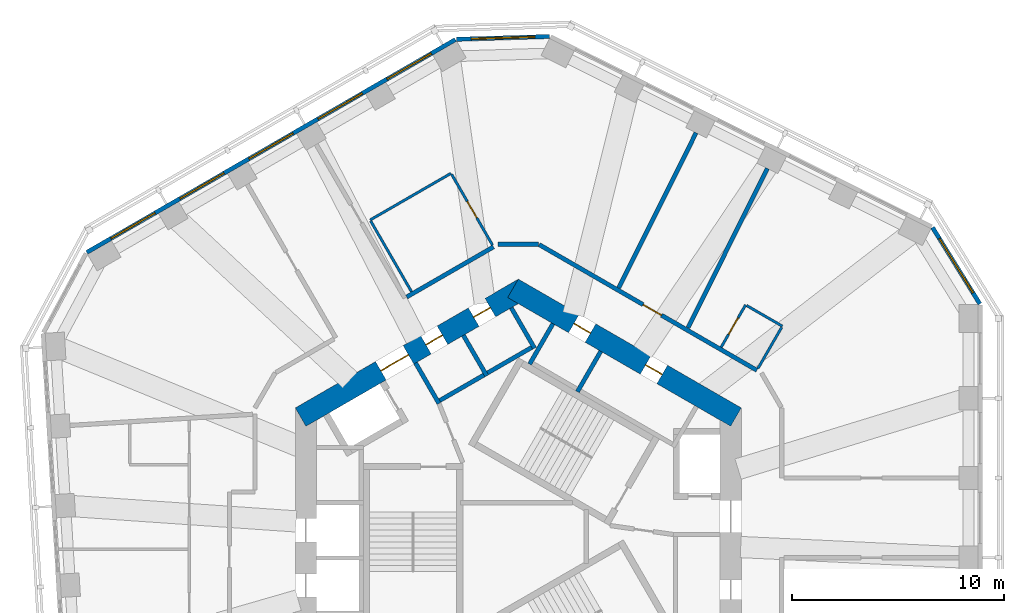
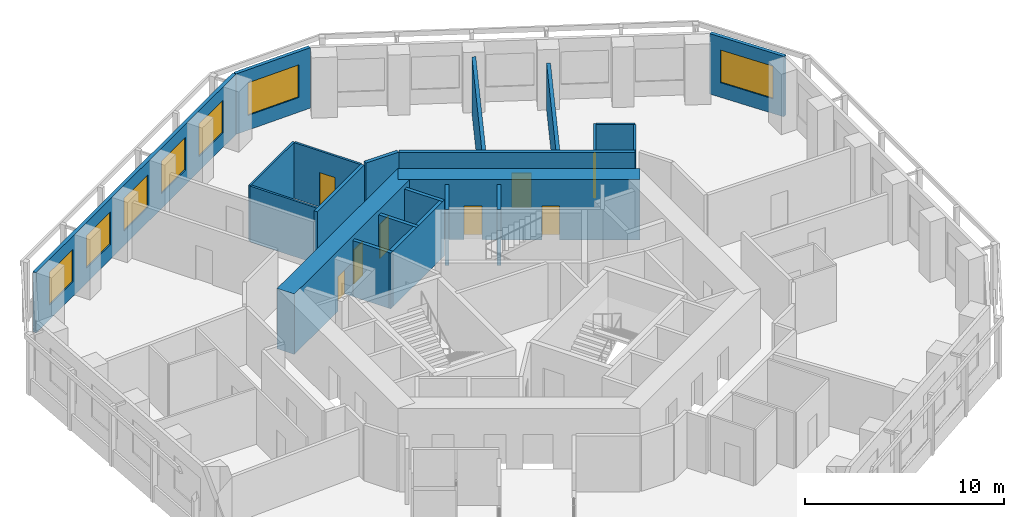
# One storey, part 7 of 11: 22 walls, 8 doors, 7 windows, 15 openings.
"""IFC4 building model written with IfcOpenShell, lengths in metres."""

import ifcopenshell
import ifcopenshell.guid

model = None  # the IFC model being written
_history = None  # IfcOwnerHistory: only IFC2X3 demands one
_inside = {}  # id of a spatial element -> (the spatial element, [elements in it])
_under = {}  # id of a project, library or spatial element -> (it, [spatial elements below it])
_declared = {}  # id of a project -> (the project, [libraries it declares])
_typed = {}  # id of a type object -> (the type object, [elements of that type])
_made_of = {}  # id of a material, layer set ... -> (it, [elements and type objects made of it])


def new_model(schema):
    """Start an empty IFC model of exactly this schema.

    Asked for "IFC4X3", IfcOpenShell would pick the latest addendum, in which some entities
    have other attributes; the version numbers below select the first issue.
    IFC2X3 requires an IfcOwnerHistory on every rooted entity: one is made here for all.
    """
    global model, _history
    if schema == "IFC4X3":
        model = ifcopenshell.file(schema_version=(4, 3, 0, 0))
    else:
        model = ifcopenshell.file(schema=schema)
    _inside.clear()
    _under.clear()
    _declared.clear()
    _typed.clear()
    _made_of.clear()
    _history = None
    if model.schema == "IFC2X3":
        org = make("IfcOrganization", Name="unknown")
        user = make(
            "IfcPersonAndOrganization",
            ThePerson=make("IfcPerson", FamilyName="unknown"),
            TheOrganization=org,
        )
        app = make(
            "IfcApplication",
            ApplicationDeveloper=org,
            Version="unknown",
            ApplicationFullName="unknown",
            ApplicationIdentifier="unknown",
        )
        _history = make(
            "IfcOwnerHistory",
            OwningUser=user,
            OwningApplication=app,
            ChangeAction="ADDED",
            CreationDate=0,
        )
    return model


def make(cls, **values):
    """One entity of the class cls with the attributes given. An attribute that is None is left unset."""
    return model.create_entity(
        cls, **{name: value for name, value in values.items() if value is not None}
    )


def rooted(cls, **values):
    """An entity with a GlobalId (a new one), such as an element, a storey or a relation."""
    return make(cls, GlobalId=ifcopenshell.guid.new(), OwnerHistory=_history, **values)


def si_unit(unit_type, name, prefix=None):
    """IfcSIUnit, for example si_unit("LENGTHUNIT", "METRE", prefix="MILLI")."""
    return make("IfcSIUnit", UnitType=unit_type, Prefix=prefix, Name=name)


def assignment(units):
    """IfcUnitAssignment: the units of a project."""
    return None if units is None else make("IfcUnitAssignment", Units=units)


def point(xyz):
    """IfcCartesianPoint."""
    return None if xyz is None else make("IfcCartesianPoint", Coordinates=xyz)


def direction(xyz):
    """IfcDirection."""
    return None if xyz is None else make("IfcDirection", DirectionRatios=xyz)


def frame(location, z_axis=None, x_axis=None):
    """IfcAxis2Placement3D, a coordinate frame: its origin and axes. An axis left out is left unset."""
    return make(
        "IfcAxis2Placement3D",
        Location=point(location),
        Axis=direction(z_axis),
        RefDirection=direction(x_axis),
    )


def frame_2d(location, x_axis=None):
    """IfcAxis2Placement2D, a coordinate frame in the plane: its origin and x axis."""
    return make(
        "IfcAxis2Placement2D", Location=point(location), RefDirection=direction(x_axis)
    )


def origin():
    """The frame at (0, 0, 0) with its axes left unset."""
    return frame((0.0, 0.0, 0.0))


def place(relative_to, where):
    """IfcLocalPlacement: puts the frame where relative to a parent placement (None: the world)."""
    return make(
        "IfcLocalPlacement", PlacementRelTo=relative_to, RelativePlacement=where
    )


def context(
    kind, dimensions, precision=None, world=None, true_north=None, identifier=None
):
    """IfcGeometricRepresentationContext, for example the 3D "Model" context."""
    return make(
        "IfcGeometricRepresentationContext",
        ContextIdentifier=identifier,
        ContextType=kind,
        CoordinateSpaceDimension=dimensions,
        Precision=precision,
        WorldCoordinateSystem=world,
        TrueNorth=true_north,
    )


def subcontext(parent, identifier, kind, view, scale=None):
    """IfcGeometricRepresentationSubContext, for example "Body" below "Model"."""
    return make(
        "IfcGeometricRepresentationSubContext",
        ContextIdentifier=identifier,
        ContextType=kind,
        ParentContext=parent,
        TargetScale=scale,
        TargetView=view,
    )


def project(units=None, contexts=None):
    """IfcProject with its units and contexts."""
    return rooted(
        "IfcProject",
        Name="project",
        RepresentationContexts=contexts,
        UnitsInContext=assignment(units),
    )


def spatial(cls, under=None, at=None, **own):
    """A site, building, storey or space (cls), placed at a placement, below another one or the project."""
    s = rooted(cls, ObjectPlacement=at, **own)
    if under is not None:
        _under.setdefault(under.id(), (under, []))[1].append(s)
    return s


def profile(cls, at=None, kind="AREA", **sizes):
    """A parametric profile (cls). Its sizes go by their IFC names, for example OverallWidth=200.0."""
    return make(cls, ProfileType=kind, Position=at, **sizes)


def rectangle(**sizes):
    """IfcRectangleProfileDef."""
    return profile("IfcRectangleProfileDef", **sizes)


def extrude(swept, where, along, depth):
    """IfcExtrudedAreaSolid: the profile swept, set in the frame where, extruded along a direction by depth."""
    return make(
        "IfcExtrudedAreaSolid",
        SweptArea=swept,
        Position=where,
        ExtrudedDirection=direction(along),
        Depth=depth,
    )


def shape(context_of_items, identifier, shape_type, items):
    """IfcShapeRepresentation: the items that make up one representation, for example the "Body"."""
    return make(
        "IfcShapeRepresentation",
        ContextOfItems=context_of_items,
        RepresentationIdentifier=identifier,
        RepresentationType=shape_type,
        Items=items,
    )


def material(Name=None, Category=None):
    """IfcMaterial."""
    return make("IfcMaterial", Name=Name, Category=Category)


def layer(
    of_material, thickness, ventilated=None, Name=None, Category=None, Priority=None
):
    """IfcMaterialLayer: one layer of a wall or slab, of a material (None: an air gap)."""
    return make(
        "IfcMaterialLayer",
        Material=of_material,
        LayerThickness=thickness,
        IsVentilated=ventilated,
        Name=Name,
        Category=Category,
        Priority=Priority,
    )


def layer_set(layers, Name=None):
    """IfcMaterialLayerSet."""
    return make("IfcMaterialLayerSet", MaterialLayers=layers, LayerSetName=Name)


def made_of(thing, what):
    """Note that an element or type object is made of a material, layer set ...; save() writes the relation."""
    if what is not None:
        _made_of.setdefault(what.id(), (what, []))[1].append(thing)
    return thing


def type_object(cls, material=None, **own):
    """A type object (cls), such as IfcWallType, which elements share."""
    return made_of(rooted(cls, **own), material)


def element(
    cls,
    number,
    at=None,
    inside=None,
    cuts=None,
    type_object=None,
    material=None,
    context=None,
    identifier="Body",
    shape_type=None,
    held_by="IfcProductDefinitionShape",
    body=None,
    shapes=None,
    **own,
):
    """One element of the class cls, such as IfcWall. Its Tag is "e" and its number.

    at: its placement. inside: the storey or other place that contains it. cuts: it is an
    opening in that element (IfcRelVoidsElement). A single representation is given by context,
    identifier, shape_type and body (its items); several are given by shapes. held_by: the class
    of the entity that holds the representations. save() writes the other relations.
    """
    e = rooted(cls, Tag="e%d" % number, ObjectPlacement=at, **own)
    if body is not None:
        shapes = [shape(context, identifier, shape_type, body)]
    if shapes is not None:
        e.Representation = make(held_by, Representations=shapes)
    if inside is not None:
        _inside.setdefault(inside.id(), (inside, []))[1].append(e)
    if cuts is not None:
        rooted(
            "IfcRelVoidsElement", RelatingBuildingElement=cuts, RelatedOpeningElement=e
        )
    if type_object is not None:
        _typed.setdefault(type_object.id(), (type_object, []))[1].append(e)
    return made_of(e, material)


def fill(opening, filler):
    """IfcRelFillsElement: the door or window that sits in an opening."""
    return rooted(
        "IfcRelFillsElement",
        RelatingOpeningElement=opening,
        RelatedBuildingElement=filler,
    )


def aggregate(whole, parts):
    """IfcRelAggregates: a whole, such as a stair, and the parts it consists of."""
    return rooted("IfcRelAggregates", RelatingObject=whole, RelatedObjects=parts)


def save(model, path):
    """Write the relations noted so far, then the file.

    IfcRelAggregates (storeys below a building ...), IfcRelContainedInSpatialStructure (elements
    in a storey), IfcRelDefinesByType, IfcRelAssociatesMaterial and IfcRelDeclares: one each for
    every whole, place, type object, material and project.
    """
    for whole, parts in _under.values():
        aggregate(whole, parts)
    for where, things in _inside.values():
        rooted(
            "IfcRelContainedInSpatialStructure",
            RelatedElements=things,
            RelatingStructure=where,
        )
    for kind, things in _typed.values():
        rooted("IfcRelDefinesByType", RelatedObjects=things, RelatingType=kind)
    for what, things in _made_of.values():
        rooted("IfcRelAssociatesMaterial", RelatedObjects=things, RelatingMaterial=what)
    for by, libraries in _declared.values():
        rooted("IfcRelDeclares", RelatingContext=by, RelatedDefinitions=libraries)
    model.write(path)


model = new_model("IFC4")

# Units and contexts
model_context = context("Model", 3, precision=1e-05, world=origin(), true_north=direction((0.0, 1.0)))
body_context = subcontext(model_context, "Body", "Model", "MODEL_VIEW")
ifc_project = project(units=[si_unit("LENGTHUNIT", "METRE"), si_unit("AREAUNIT", "SQUARE_METRE"), si_unit("VOLUMEUNIT", "CUBIC_METRE"), si_unit("PLANEANGLEUNIT", "RADIAN"), si_unit("MASSUNIT", "GRAM", prefix="KILO")], contexts=[model_context])

# Site, building, storey
site_placement = place(None, origin())
site = spatial("IfcSite", under=ifc_project, at=site_placement, CompositionType="ELEMENT")
building_placement = place(site_placement, origin())
building = spatial("IfcBuilding", under=site, at=building_placement, Name="Vanh Sen Convention Tower", CompositionType="ELEMENT")
storey_placement = place(building_placement, frame((0.0, 0.0, 146.60009765625)))
storey = spatial("IfcBuildingStorey", under=building, at=storey_placement, Name="L35", CompositionType="ELEMENT", Elevation=146.60009765625)

# Walls
ifc_material_1 = material(Name="Moisture-resistant gypsum board on steel studs", Category="steel")
ifc_layer_1 = layer(ifc_material_1, 0.1201171875)
ifc_layer_set_1 = layer_set([ifc_layer_1], Name="Moisture-resistant gypsum board on steel studs")
wall_type_1 = type_object("IfcWallType", Name="Bathroom partition 120", PredefinedType="PARTITIONING", material=ifc_layer_set_1)
wall_1_placement = place(storey_placement, frame((-6.97705078125, 14.908935546875, 0.0), z_axis=(0.0, 0.0, 1.0), x_axis=(0.866032203192, 0.499988222896, 0.0)))
element("IfcWall", 1, at=wall_1_placement, inside=storey, type_object=wall_type_1, Name="Bathroom partition 120", PredefinedType="PARTITIONING", context=body_context, shape_type="SweptSolid", body=[
    extrude(rectangle(XDim=4.39990234375, YDim=0.1201171875, at=frame_2d((2.199951171875, 0.0))), origin(), (0.0, 0.0, 1.0), 3.419921875),
])
wall_2_placement = place(storey_placement, frame((-5.027099609375, 11.531494140625, 0.0), z_axis=(0.0, 0.0, 1.0), x_axis=(-0.499995802899, 0.866027826969, 0.0)))
element("IfcWall", 2, at=wall_2_placement, inside=storey, type_object=wall_type_1, Name="Bathroom partition 120", PredefinedType="PARTITIONING", context=body_context, shape_type="SweptSolid", body=[
    extrude(rectangle(XDim=3.83984375, YDim=0.1201171875, at=frame_2d((1.919921875, 0.0))), origin(), (0.0, 0.0, 1.0), 3.419921875),
])

# Wall, opening, door
wall_3_placement = place(storey_placement, frame((-3.136474609375, 17.056884765625, 0.0), z_axis=(0.0, 0.0, 1.0), x_axis=(0.499995802899, -0.866027826969, 0.0)))
wall_3 = element("IfcWall", 3, at=wall_3_placement, inside=storey, type_object=wall_type_1, Name="Bathroom partition 120", PredefinedType="PARTITIONING", context=body_context, shape_type="SweptSolid", body=[
    extrude(rectangle(XDim=3.83984375, YDim=0.1201171875, at=frame_2d((1.919921875, 0.0))), origin(), (0.0, 0.0, 1.0), 3.419921875),
])
opening_1_placement = place(wall_3_placement, frame((1.469970703125, 0.0, 0.0)))
opening_1 = element("IfcOpeningElement", 4, at=opening_1_placement, cuts=wall_3, Name="Opening D35105", PredefinedType="OPENING", context=body_context, shape_type="SweptSolid", body=[
    extrude(rectangle(XDim=0.89990234375, YDim=2.10009765625, at=frame_2d((0.449951171875, 1.050048828125))), frame((0.0, 0.070068359375, 0.0), z_axis=(0.0, -1.0, 0.0), x_axis=(1.0, 0.0, 0.0)), (0.0, 0.0, 1.0), 0.14013671875),
])
ifc_material_2 = material(Name="Laminate door in steel frame", Category="steel")
door_type_1 = type_object("IfcDoorType", Name="Room internal door 900", OperationType="SINGLE_SWING_LEFT", PredefinedType="DOOR", material=ifc_material_2)
door_1_placement = place(opening_1_placement, origin())
door_1 = element("IfcDoor", 5, at=door_1_placement, inside=storey, type_object=door_type_1, Name="Internal room door D35105", OperationType="SINGLE_SWING_LEFT", OverallHeight=2.10009765625, OverallWidth=0.89990234375, PredefinedType="DOOR", context=body_context, shape_type="SweptSolid", body=[
    extrude(rectangle(XDim=0.89990234375, YDim=2.10009765625, at=frame_2d((0.449951171875, 1.050048828125))), frame((0.0, 0.02490234375, 0.0), z_axis=(0.0, -1.0, 0.0), x_axis=(1.0, 0.0, 0.0)), (0.0, 0.0, 1.0), 0.050048828125),
])
fill(opening_1, door_1)

wall_4_placement = place(storey_placement, frame((9.551513671875, 8.919189453125, 0.0), z_axis=(0.0, 0.0, 1.0), x_axis=(0.499952165731, 0.866053019151, 0.0)))
wall_4 = element("IfcWall", 6, at=wall_4_placement, inside=storey, type_object=wall_type_1, Name="Bathroom partition 120", PredefinedType="PARTITIONING", context=body_context, shape_type="SweptSolid", body=[
    extrude(rectangle(XDim=2.300048828125, YDim=0.1201171875, at=frame_2d((1.14990234375, 0.0))), origin(), (0.0, 0.0, 1.0), 3.419921875),
])
opening_2_placement = place(wall_4_placement, frame((0.699951171875, 0.0, 0.0)))
opening_2 = element("IfcOpeningElement", 7, at=opening_2_placement, cuts=wall_4, Name="Opening D35102", PredefinedType="OPENING", context=body_context, shape_type="SweptSolid", body=[
    extrude(rectangle(XDim=0.89990234375, YDim=2.10009765625, at=frame_2d((0.449951171875, 1.050048828125))), frame((0.0, 0.070068359375, 0.0), z_axis=(0.0, -1.0, 0.0), x_axis=(1.0, 0.0, 0.0)), (0.0, 0.0, 1.0), 0.14013671875),
])
door_2_placement = place(opening_2_placement, origin())
door_2 = element("IfcDoor", 8, at=door_2_placement, inside=storey, type_object=door_type_1, Name="Internal room door D35102", OperationType="SINGLE_SWING_LEFT", OverallHeight=2.10009765625, OverallWidth=0.89990234375, PredefinedType="DOOR", context=body_context, shape_type="SweptSolid", body=[
    extrude(rectangle(XDim=0.89990234375, YDim=2.10009765625, at=frame_2d((0.449951171875, 1.050048828125))), frame((0.0, 0.02490234375, 0.0), z_axis=(0.0, -1.0, 0.0), x_axis=(1.0, 0.0, 0.0)), (0.0, 0.0, 1.0), 0.050048828125),
])
fill(opening_2, door_2)

# Walls
wall_5_placement = place(storey_placement, frame((10.75341796875, 10.881103515625, 0.0), z_axis=(0.0, 0.0, 1.0), x_axis=(0.866043088465, -0.499969367985, 0.0)))
element("IfcWall", 9, at=wall_5_placement, inside=storey, type_object=wall_type_1, Name="Bathroom partition 120", PredefinedType="PARTITIONING", context=body_context, shape_type="SweptSolid", body=[
    extrude(rectangle(XDim=1.93994140625, YDim=0.1201171875, at=frame_2d((0.969970703125, 0.0))), origin(), (0.0, 0.0, 1.0), 3.419921875),
])
wall_6_placement = place(storey_placement, frame((12.403564453125, 9.859130859375, 0.0), z_axis=(0.0, 0.0, 1.0), x_axis=(-0.500030632641, -0.866007717299, 0.0)))
element("IfcWall", 10, at=wall_6_placement, inside=storey, type_object=wall_type_1, Name="Bathroom partition 120", PredefinedType="PARTITIONING", context=body_context, shape_type="SweptSolid", body=[
    extrude(rectangle(XDim=2.239990234375, YDim=0.1201171875, at=frame_2d((1.1201171875, 0.0))), origin(), (0.0, 0.0, 1.0), 3.419921875),
])

# Wall, openings, doors
ifc_material_3 = material(Name="Concrete C80/95", Category="concrete")
ifc_layer_2 = layer(ifc_material_3, 1.0)
ifc_layer_set_2 = layer_set([ifc_layer_2], Name="Concrete C80/95")
wall_type_2 = type_object("IfcWallType", Name="Core outer wall 1000 C80/95", PredefinedType="SHEAR", material=ifc_layer_set_2)
wall_7_placement = place(storey_placement, frame((10.25, 5.629150390625, 0.0), z_axis=(0.0, 0.0, 1.0), x_axis=(-0.866022616891, 0.50000482701, 0.0)))
wall_7 = element("IfcWall", 11, at=wall_7_placement, inside=storey, type_object=wall_type_2, Name="Core wall face NE L35", PredefinedType="SHEAR", context=body_context, shape_type="SweptSolid", body=[
    extrude(rectangle(XDim=12.12451171875, YDim=1.0, at=frame_2d((6.062255859375, 0.0))), origin(), (0.0, 0.0, 1.0), 3.699951171875),
])
opening_3_placement = place(wall_7_placement, frame((4.01220703125, 0.0, 0.0)))
opening_3 = element("IfcOpeningElement", 12, at=opening_3_placement, cuts=wall_7, Name="Opening D35011", PredefinedType="OPENING", context=body_context, shape_type="SweptSolid", body=[
    extrude(rectangle(XDim=0.89990234375, YDim=2.10009765625, at=frame_2d((0.449951171875, 1.050048828125))), frame((0.0, 0.510009765625, 0.0), z_axis=(0.0, -1.0, 0.0), x_axis=(1.0, 0.0, 0.0)), (0.0, 0.0, 1.0), 1.02001953125),
])
opening_4_placement = place(wall_7_placement, frame((7.912109375, 0.0, 0.0)))
opening_4 = element("IfcOpeningElement", 13, at=opening_4_placement, cuts=wall_7, Name="Opening D35012", PredefinedType="OPENING", context=body_context, shape_type="SweptSolid", body=[
    extrude(rectangle(XDim=0.89990234375, YDim=2.10009765625, at=frame_2d((0.449951171875, 1.050048828125))), frame((0.0, 0.510009765625, 0.0), z_axis=(0.0, -1.0, 0.0), x_axis=(1.0, 0.0, 0.0)), (0.0, 0.0, 1.0), 1.02001953125),
])
ifc_material_4 = material(Name="Steel S355", Category="steel")
door_type_2 = type_object("IfcDoorType", Name="Plant door 900", OperationType="SINGLE_SWING_LEFT", PredefinedType="DOOR", material=ifc_material_4)
door_3_placement = place(opening_3_placement, origin())
door_3 = element("IfcDoor", 14, at=door_3_placement, inside=storey, type_object=door_type_2, Name="Plant door D35011", OperationType="SINGLE_SWING_LEFT", OverallHeight=2.10009765625, OverallWidth=0.89990234375, PredefinedType="DOOR", context=body_context, shape_type="SweptSolid", body=[
    extrude(rectangle(XDim=0.89990234375, YDim=2.10009765625, at=frame_2d((0.449951171875, 1.050048828125))), frame((0.0, 0.02490234375, 0.0), z_axis=(0.0, -1.0, 0.0), x_axis=(1.0, 0.0, 0.0)), (0.0, 0.0, 1.0), 0.050048828125),
])
fill(opening_3, door_3)
door_4_placement = place(opening_4_placement, origin())
door_4 = element("IfcDoor", 15, at=door_4_placement, inside=storey, type_object=door_type_2, Name="Plant door D35012", OperationType="SINGLE_SWING_LEFT", OverallHeight=2.10009765625, OverallWidth=0.89990234375, PredefinedType="DOOR", context=body_context, shape_type="SweptSolid", body=[
    extrude(rectangle(XDim=0.89990234375, YDim=2.10009765625, at=frame_2d((0.449951171875, 1.050048828125))), frame((0.0, 0.02490234375, 0.0), z_axis=(0.0, -1.0, 0.0), x_axis=(1.0, 0.0, 0.0)), (0.0, 0.0, 1.0), 0.050048828125),
])
fill(opening_4, door_4)

wall_8_placement = place(storey_placement, frame((0.25, 11.69140625, 0.0), z_axis=(0.0, 0.0, 1.0), x_axis=(-0.866022616891, -0.50000482701, 0.0)))
wall_8 = element("IfcWall", 16, at=wall_8_placement, inside=storey, type_object=wall_type_2, Name="Core wall face NW L35", PredefinedType="SHEAR", context=body_context, shape_type="SweptSolid", body=[
    extrude(rectangle(XDim=12.12451171875, YDim=1.0, at=frame_2d((6.062255859375, 0.0))), origin(), (0.0, 0.0, 1.0), 3.699951171875),
])
opening_5_placement = place(wall_8_placement, frame((6.26220703125, 0.0, 0.0)))
opening_5 = element("IfcOpeningElement", 17, at=opening_5_placement, cuts=wall_8, Name="Opening D35002", PredefinedType="OPENING", context=body_context, shape_type="SweptSolid", body=[
    extrude(rectangle(XDim=1.5, YDim=2.10009765625, at=frame_2d((0.75, 1.050048828125))), frame((0.0, 0.510009765625, 0.0), z_axis=(0.0, -1.0, 0.0), x_axis=(1.0, 0.0, 0.0)), (0.0, 0.0, 1.0), 1.02001953125),
])
opening_6_placement = place(wall_8_placement, frame((1.812255859375, 0.0, 0.0)))
opening_6 = element("IfcOpeningElement", 18, at=opening_6_placement, cuts=wall_8, Name="Opening D35013", PredefinedType="OPENING", context=body_context, shape_type="SweptSolid", body=[
    extrude(rectangle(XDim=0.89990234375, YDim=2.10009765625, at=frame_2d((0.449951171875, 1.050048828125))), frame((0.0, 0.510009765625, 0.0), z_axis=(0.0, -1.0, 0.0), x_axis=(1.0, 0.0, 0.0)), (0.0, 0.0, 1.0), 1.02001953125),
])
opening_7_placement = place(wall_8_placement, frame((4.412109375, 0.0, 0.0)))
opening_7 = element("IfcOpeningElement", 19, at=opening_7_placement, cuts=wall_8, Name="Opening D35014", PredefinedType="OPENING", context=body_context, shape_type="SweptSolid", body=[
    extrude(rectangle(XDim=0.89990234375, YDim=2.10009765625, at=frame_2d((0.449951171875, 1.050048828125))), frame((0.0, 0.510009765625, 0.0), z_axis=(0.0, -1.0, 0.0), x_axis=(1.0, 0.0, 0.0)), (0.0, 0.0, 1.0), 1.02001953125),
])
door_5_placement = place(opening_6_placement, origin())
door_5 = element("IfcDoor", 20, at=door_5_placement, inside=storey, type_object=door_type_2, Name="Plant door D35013", OperationType="SINGLE_SWING_LEFT", OverallHeight=2.10009765625, OverallWidth=0.89990234375, PredefinedType="DOOR", context=body_context, shape_type="SweptSolid", body=[
    extrude(rectangle(XDim=0.89990234375, YDim=2.10009765625, at=frame_2d((0.449951171875, 1.050048828125))), frame((0.0, 0.02490234375, 0.0), z_axis=(0.0, -1.0, 0.0), x_axis=(1.0, 0.0, 0.0)), (0.0, 0.0, 1.0), 0.050048828125),
])
fill(opening_6, door_5)
door_6_placement = place(opening_7_placement, origin())
door_6 = element("IfcDoor", 21, at=door_6_placement, inside=storey, type_object=door_type_2, Name="Plant door D35014", OperationType="SINGLE_SWING_LEFT", OverallHeight=2.10009765625, OverallWidth=0.89990234375, PredefinedType="DOOR", context=body_context, shape_type="SweptSolid", body=[
    extrude(rectangle(XDim=0.89990234375, YDim=2.10009765625, at=frame_2d((0.449951171875, 1.050048828125))), frame((0.0, 0.02490234375, 0.0), z_axis=(0.0, -1.0, 0.0), x_axis=(1.0, 0.0, 0.0)), (0.0, 0.0, 1.0), 0.050048828125),
])
fill(opening_7, door_6)
door_type_3 = type_object("IfcDoorType", Name="Stair lobby door 1500", OperationType="DOUBLE_DOOR_SINGLE_SWING", PredefinedType="DOOR", material=ifc_material_4)
door_7_placement = place(opening_5_placement, origin())
door_7 = element("IfcDoor", 22, at=door_7_placement, inside=storey, type_object=door_type_3, Name="Stair lobby door D35002", OperationType="DOUBLE_DOOR_SINGLE_SWING", OverallHeight=2.10009765625, OverallWidth=1.5, PredefinedType="DOOR", context=body_context, shape_type="SweptSolid", body=[
    extrude(rectangle(XDim=1.5, YDim=2.10009765625, at=frame_2d((0.75, 1.050048828125))), frame((0.0, 0.02490234375, 0.0), z_axis=(0.0, -1.0, 0.0), x_axis=(1.0, 0.0, 0.0)), (0.0, 0.0, 1.0), 0.050048828125),
])
fill(opening_5, door_7)

# Walls
ifc_material_5 = material(Name="Gypsum board on steel studs with mineral wool", Category="steel")
ifc_layer_3 = layer(ifc_material_5, 0.199951171875)
ifc_layer_set_3 = layer_set([ifc_layer_3], Name="Gypsum board on steel studs with mineral wool")
wall_type_3 = type_object("IfcWallType", Name="Corridor partition wall 200", PredefinedType="PARTITIONING", material=ifc_layer_set_3)
wall_9_placement = place(storey_placement, frame((-1.16650390625, 13.644775390625, 0.0), z_axis=(0.0, 0.0, 1.0), x_axis=(-0.866034830959, -0.499983671299, 0.0)))
element("IfcWall", 23, at=wall_9_placement, inside=storey, type_object=wall_type_3, Name="Corridor partition wall 200", PredefinedType="PARTITIONING", context=body_context, shape_type="SweptSolid", body=[
    extrude(rectangle(XDim=4.719482421875, YDim=0.199951171875, at=frame_2d((2.35986328125, 0.0))), origin(), (0.0, 0.0, 1.0), 3.419921875),
])
wall_10_placement = place(storey_placement, frame((0.949951171875, 13.769775390625, 0.0), z_axis=(0.0, 0.0, 1.0), x_axis=(-1.0, 0.0, 0.0)))
element("IfcWall", 24, at=wall_10_placement, inside=storey, type_object=wall_type_3, Name="Corridor partition wall 200", PredefinedType="PARTITIONING", context=body_context, shape_type="SweptSolid", body=[
    extrude(rectangle(XDim=1.89990234375, YDim=0.199951171875, at=frame_2d((0.949951171875, 0.0))), origin(), (0.0, 0.0, 1.0), 3.419921875),
])

# Wall, opening, door
wall_11_placement = place(storey_placement, frame((11.2333984375, 7.83251953125, 0.0), z_axis=(0.0, 0.0, 1.0), x_axis=(-0.866021713988, 0.50000639086, 0.0)))
wall_11 = element("IfcWall", 25, at=wall_11_placement, inside=storey, type_object=wall_type_3, Name="Corridor partition wall 200", PredefinedType="PARTITIONING", context=body_context, shape_type="SweptSolid", body=[
    extrude(rectangle(XDim=11.834228515625, YDim=0.199951171875, at=frame_2d((5.9169921875, 0.0))), origin(), (0.0, 0.0, 1.0), 3.419921875),
])
opening_8_placement = place(wall_11_placement, frame((5.184814453125, 0.0, 0.0)))
opening_8 = element("IfcOpeningElement", 26, at=opening_8_placement, cuts=wall_11, Name="Opening D35103", PredefinedType="OPENING", context=body_context, shape_type="SweptSolid", body=[
    extrude(rectangle(XDim=1.0, YDim=2.10009765625, at=frame_2d((0.5, 1.050048828125))), frame((0.0, 0.10986328125, 0.0), z_axis=(0.0, -1.0, 0.0), x_axis=(1.0, 0.0, 0.0)), (0.0, 0.0, 1.0), 0.219970703125),
])
ifc_material_6 = material(Name="Glazed fire door in steel frame", Category="steel")
door_type_4 = type_object("IfcDoorType", Name="Tenant entrance door 1000", OperationType="SINGLE_SWING_LEFT", PredefinedType="DOOR", material=ifc_material_6)
door_8_placement = place(opening_8_placement, origin())
door_8 = element("IfcDoor", 27, at=door_8_placement, inside=storey, type_object=door_type_4, Name="Tenant suite entrance door D35103", OperationType="SINGLE_SWING_LEFT", OverallHeight=2.10009765625, OverallWidth=1.0, PredefinedType="DOOR", context=body_context, shape_type="SweptSolid", body=[
    extrude(rectangle(XDim=1.0, YDim=2.10009765625, at=frame_2d((0.5, 1.050048828125))), frame((0.0, 0.02490234375, 0.0), z_axis=(0.0, -1.0, 0.0), x_axis=(1.0, 0.0, 0.0)), (0.0, 0.0, 1.0), 0.050048828125),
])
fill(opening_8, door_8)

# Wall, opening, window
ifc_material_7 = material(Name="Insulated lightweight infill wall")
ifc_layer_4 = layer(ifc_material_7, 0.199951171875)
ifc_layer_set_4 = layer_set([ifc_layer_4], Name="Insulated lightweight infill wall")
wall_type_4 = type_object("IfcWallType", Name="External wall 200", PredefinedType="STANDARD", material=ifc_layer_set_4)
wall_12_placement = place(storey_placement, frame((21.735107421875, 10.9580078125, 0.0), z_axis=(0.0, 0.0, 1.0), x_axis=(-0.526213807775, 0.850352296702, 0.0)))
wall_12 = element("IfcWall", 28, at=wall_12_placement, inside=storey, type_object=wall_type_4, Name="External wall CH1 L35", PredefinedType="STANDARD", context=body_context, shape_type="SweptSolid", body=[
    extrude(rectangle(XDim=4.23828125, YDim=0.199951171875, at=frame_2d((2.119140625, 0.0))), origin(), (0.0, 0.0, 1.0), 3.699951171875),
])
opening_9_placement = place(wall_12_placement, frame((0.619140625, 0.0, 0.89990234375)))
opening_9 = element("IfcOpeningElement", 29, at=opening_9_placement, cuts=wall_12, Name="Opening WO2-CH11", PredefinedType="OPENING", context=body_context, shape_type="SweptSolid", body=[
    extrude(rectangle(XDim=3.0, YDim=2.0, at=frame_2d((1.5, 1.0))), frame((0.0, 0.10986328125, 0.0), z_axis=(0.0, -1.0, 0.0), x_axis=(1.0, 0.0, 0.0)), (0.0, 0.0, 1.0), 0.219970703125),
])
ifc_material_8 = material(Name="Aluminium frame with clear low-emissivity glass", Category="aluminium")
window_type_1 = type_object("IfcWindowType", Name="Office window 3000 x 2000", PartitioningType="SINGLE_PANEL", PredefinedType="WINDOW", material=ifc_material_8)
window_1_placement = place(opening_9_placement, origin())
window_1 = element("IfcWindow", 30, at=window_1_placement, inside=storey, type_object=window_type_1, Name="Window WO2-CH11", OverallHeight=2.0, OverallWidth=3.0, PartitioningType="SINGLE_PANEL", PredefinedType="WINDOW", context=body_context, shape_type="SweptSolid", body=[
    extrude(rectangle(XDim=3.0, YDim=2.0, at=frame_2d((1.5, 1.0))), frame((0.0, 0.030029296875, 0.0), z_axis=(0.0, -1.0, 0.0), x_axis=(1.0, 0.0, 0.0)), (0.0, 0.0, 1.0), 0.06005859375),
])
fill(opening_9, window_1)

wall_13_placement = place(storey_placement, frame((1.478759765625, 23.552734375, 0.0), z_axis=(0.0, 0.0, 1.0), x_axis=(-0.999534786117, -0.03049936625, 0.0)))
wall_13 = element("IfcWall", 31, at=wall_13_placement, inside=storey, type_object=wall_type_4, Name="External wall CH2 L35", PredefinedType="STANDARD", context=body_context, shape_type="SweptSolid", body=[
    extrude(rectangle(XDim=4.39453125, YDim=0.199951171875, at=frame_2d((2.197265625, 0.0))), origin(), (0.0, 0.0, 1.0), 3.699951171875),
])
opening_10_placement = place(wall_13_placement, frame((0.697509765625, 0.0, 0.89990234375)))
opening_10 = element("IfcOpeningElement", 32, at=opening_10_placement, cuts=wall_13, Name="Opening WO2-CH21", PredefinedType="OPENING", context=body_context, shape_type="SweptSolid", body=[
    extrude(rectangle(XDim=3.0, YDim=2.0, at=frame_2d((1.5, 1.0))), frame((0.0, 0.10986328125, 0.0), z_axis=(0.0, -1.0, 0.0), x_axis=(1.0, 0.0, 0.0)), (0.0, 0.0, 1.0), 0.219970703125),
])
window_2_placement = place(opening_10_placement, origin())
window_2 = element("IfcWindow", 33, at=window_2_placement, inside=storey, type_object=window_type_1, Name="Window WO2-CH21", OverallHeight=2.0, OverallWidth=3.0, PartitioningType="SINGLE_PANEL", PredefinedType="WINDOW", context=body_context, shape_type="SweptSolid", body=[
    extrude(rectangle(XDim=3.0, YDim=2.0, at=frame_2d((1.5, 1.0))), frame((0.0, 0.030029296875, 0.0), z_axis=(0.0, -1.0, 0.0), x_axis=(1.0, 0.0, 0.0)), (0.0, 0.0, 1.0), 0.06005859375),
])
fill(opening_10, window_2)

# Wall, openings, windows
wall_14_placement = place(storey_placement, frame((-2.9609375, 23.4052734375, 0.0), z_axis=(0.0, 0.0, 1.0), x_axis=(-0.866023315909, -0.500003616288, 0.0)))
wall_14 = element("IfcWall", 34, at=wall_14_placement, inside=storey, type_object=wall_type_4, Name="External wall NW L35", PredefinedType="STANDARD", context=body_context, shape_type="SweptSolid", body=[
    extrude(rectangle(XDim=20.043701171875, YDim=0.199951171875, at=frame_2d((10.02197265625, 0.0))), origin(), (0.0, 0.0, 1.0), 3.699951171875),
])
opening_11_placement = place(wall_14_placement, frame((1.314453125, 0.0, 0.89990234375)))
opening_11 = element("IfcOpeningElement", 35, at=opening_11_placement, cuts=wall_14, Name="Opening WO1-NW1", PredefinedType="OPENING", context=body_context, shape_type="SweptSolid", body=[
    extrude(rectangle(XDim=2.39990234375, YDim=2.0, at=frame_2d((1.199951171875, 1.0))), frame((0.0, 0.10986328125, 0.0), z_axis=(0.0, -1.0, 0.0), x_axis=(1.0, 0.0, 0.0)), (0.0, 0.0, 1.0), 0.219970703125),
])
opening_12_placement = place(wall_14_placement, frame((5.068603515625, 0.0, 0.89990234375)))
opening_12 = element("IfcOpeningElement", 36, at=opening_12_placement, cuts=wall_14, Name="Opening WO1-NW2", PredefinedType="OPENING", context=body_context, shape_type="SweptSolid", body=[
    extrude(rectangle(XDim=2.39990234375, YDim=2.0, at=frame_2d((1.199951171875, 1.0))), frame((0.0, 0.10986328125, 0.0), z_axis=(0.0, -1.0, 0.0), x_axis=(1.0, 0.0, 0.0)), (0.0, 0.0, 1.0), 0.219970703125),
])
opening_13_placement = place(wall_14_placement, frame((8.82275390625, 0.0, 0.89990234375)))
opening_13 = element("IfcOpeningElement", 37, at=opening_13_placement, cuts=wall_14, Name="Opening WO1-NW3", PredefinedType="OPENING", context=body_context, shape_type="SweptSolid", body=[
    extrude(rectangle(XDim=2.39990234375, YDim=2.0, at=frame_2d((1.199951171875, 1.0))), frame((0.0, 0.10986328125, 0.0), z_axis=(0.0, -1.0, 0.0), x_axis=(1.0, 0.0, 0.0)), (0.0, 0.0, 1.0), 0.219970703125),
])
opening_14_placement = place(wall_14_placement, frame((12.576904296875, 0.0, 0.89990234375)))
opening_14 = element("IfcOpeningElement", 38, at=opening_14_placement, cuts=wall_14, Name="Opening WO1-NW4", PredefinedType="OPENING", context=body_context, shape_type="SweptSolid", body=[
    extrude(rectangle(XDim=2.39990234375, YDim=2.0, at=frame_2d((1.199951171875, 1.0))), frame((0.0, 0.10986328125, 0.0), z_axis=(0.0, -1.0, 0.0), x_axis=(1.0, 0.0, 0.0)), (0.0, 0.0, 1.0), 0.219970703125),
])
opening_15_placement = place(wall_14_placement, frame((16.330810546875, 0.0, 0.89990234375)))
opening_15 = element("IfcOpeningElement", 39, at=opening_15_placement, cuts=wall_14, Name="Opening WO1-NW5", PredefinedType="OPENING", context=body_context, shape_type="SweptSolid", body=[
    extrude(rectangle(XDim=2.39990234375, YDim=2.0, at=frame_2d((1.199951171875, 1.0))), frame((0.0, 0.10986328125, 0.0), z_axis=(0.0, -1.0, 0.0), x_axis=(1.0, 0.0, 0.0)), (0.0, 0.0, 1.0), 0.219970703125),
])
window_type_2 = type_object("IfcWindowType", Name="Office window 2400 x 2000", PartitioningType="SINGLE_PANEL", PredefinedType="WINDOW", material=ifc_material_8)
window_3_placement = place(opening_11_placement, origin())
window_3 = element("IfcWindow", 40, at=window_3_placement, inside=storey, type_object=window_type_2, Name="Window WO1-NW1", OverallHeight=2.0, OverallWidth=2.39990234375, PartitioningType="SINGLE_PANEL", PredefinedType="WINDOW", context=body_context, shape_type="SweptSolid", body=[
    extrude(rectangle(XDim=2.39990234375, YDim=2.0, at=frame_2d((1.199951171875, 1.0))), frame((0.0, 0.030029296875, 0.0), z_axis=(0.0, -1.0, 0.0), x_axis=(1.0, 0.0, 0.0)), (0.0, 0.0, 1.0), 0.06005859375),
])
fill(opening_11, window_3)
window_4_placement = place(opening_12_placement, origin())
window_4 = element("IfcWindow", 41, at=window_4_placement, inside=storey, type_object=window_type_2, Name="Window WO1-NW2", OverallHeight=2.0, OverallWidth=2.39990234375, PartitioningType="SINGLE_PANEL", PredefinedType="WINDOW", context=body_context, shape_type="SweptSolid", body=[
    extrude(rectangle(XDim=2.39990234375, YDim=2.0, at=frame_2d((1.199951171875, 1.0))), frame((0.0, 0.030029296875, 0.0), z_axis=(0.0, -1.0, 0.0), x_axis=(1.0, 0.0, 0.0)), (0.0, 0.0, 1.0), 0.06005859375),
])
fill(opening_12, window_4)
window_5_placement = place(opening_13_placement, origin())
window_5 = element("IfcWindow", 42, at=window_5_placement, inside=storey, type_object=window_type_2, Name="Window WO1-NW3", OverallHeight=2.0, OverallWidth=2.39990234375, PartitioningType="SINGLE_PANEL", PredefinedType="WINDOW", context=body_context, shape_type="SweptSolid", body=[
    extrude(rectangle(XDim=2.39990234375, YDim=2.0, at=frame_2d((1.199951171875, 1.0))), frame((0.0, 0.030029296875, 0.0), z_axis=(0.0, -1.0, 0.0), x_axis=(1.0, 0.0, 0.0)), (0.0, 0.0, 1.0), 0.06005859375),
])
fill(opening_13, window_5)
window_6_placement = place(opening_14_placement, origin())
window_6 = element("IfcWindow", 43, at=window_6_placement, inside=storey, type_object=window_type_2, Name="Window WO1-NW4", OverallHeight=2.0, OverallWidth=2.39990234375, PartitioningType="SINGLE_PANEL", PredefinedType="WINDOW", context=body_context, shape_type="SweptSolid", body=[
    extrude(rectangle(XDim=2.39990234375, YDim=2.0, at=frame_2d((1.199951171875, 1.0))), frame((0.0, 0.030029296875, 0.0), z_axis=(0.0, -1.0, 0.0), x_axis=(1.0, 0.0, 0.0)), (0.0, 0.0, 1.0), 0.06005859375),
])
fill(opening_14, window_6)
window_7_placement = place(opening_15_placement, origin())
window_7 = element("IfcWindow", 44, at=window_7_placement, inside=storey, type_object=window_type_2, Name="Window WO1-NW5", OverallHeight=2.0, OverallWidth=2.39990234375, PartitioningType="SINGLE_PANEL", PredefinedType="WINDOW", context=body_context, shape_type="SweptSolid", body=[
    extrude(rectangle(XDim=2.39990234375, YDim=2.0, at=frame_2d((1.199951171875, 1.0))), frame((0.0, 0.030029296875, 0.0), z_axis=(0.0, -1.0, 0.0), x_axis=(1.0, 0.0, 0.0)), (0.0, 0.0, 1.0), 0.06005859375),
])
fill(opening_15, window_7)

# Walls
ifc_material_9 = material(Name="Concrete C40/50", Category="concrete")
ifc_layer_5 = layer(ifc_material_9, 0.199951171875)
ifc_layer_set_5 = layer_set([ifc_layer_5], Name="Concrete C40/50")
wall_type_5 = type_object("IfcWallType", Name="Lift shaft wall 200", PredefinedType="PARTITIONING", material=ifc_layer_set_5)
for number, where, z_axis, x_axis, name in (
    (45, (2.783935546875, 6.822021484375, 0.0), (0.0, 0.0, 1.0), (0.50002983664, 0.866008176907, 0.0), "Lift shaft wall L35"),
    (46, (0.5322265625, 8.1220703125, 0.0), (0.0, 0.0, 1.0), (0.500077893725, 0.86598042715, 0.0), "Lift shaft wall L35"),
):
    element("IfcWall", number, at=place(storey_placement, frame(where, z_axis=z_axis, x_axis=x_axis)), inside=storey, type_object=wall_type_5, Name=name, PredefinedType="PARTITIONING", context=body_context, shape_type="SweptSolid", body=[
        extrude(rectangle(XDim=2.199951171875, YDim=0.199951171875, at=frame_2d((1.10009765625, 0.0))), origin(), (0.0, 0.0, 1.0), 3.419921875),
    ])
wall_15_placement = place(storey_placement, frame((0.80322265625, 9.008544921875, 0.0), z_axis=(0.0, 0.0, 1.0), x_axis=(-0.866028230842, -0.499995103361, 0.0)))
element("IfcWall", 47, at=wall_15_placement, inside=storey, type_object=wall_type_5, Name="Lift shaft wall L35", PredefinedType="PARTITIONING", context=body_context, shape_type="SweptSolid", body=[
    extrude(rectangle(XDim=5.39990234375, YDim=0.199951171875, at=frame_2d((2.699951171875, 0.0))), origin(), (0.0, 0.0, 1.0), 3.419921875),
])
wall_16_placement = place(storey_placement, frame((0.7666015625, 8.8720703125, 0.0), z_axis=(0.0, 0.0, 1.0), x_axis=(-0.499994660107, 0.866028486751, 0.0)))
element("IfcWall", 48, at=wall_16_placement, inside=storey, type_object=wall_type_5, Name="Lift shaft wall L35", PredefinedType="PARTITIONING", context=body_context, shape_type="SweptSolid", body=[
    extrude(rectangle(XDim=2.19970703125, YDim=0.199951171875, at=frame_2d((1.099853515625, 0.0))), origin(), (0.0, 0.0, 1.0), 3.419921875),
])
for number, where, z_axis, x_axis, name in (
    (49, (-1.48486328125, 7.572021484375, 0.0), (0.0, 0.0, 1.0), (-0.50002983664, 0.866008176907, 0.0), "Lift shaft wall L35"),
    (50, (-3.736572265625, 6.27197265625, 0.0), (0.0, 0.0, 1.0), (-0.50002983664, 0.866008176907, 0.0), "Lift shaft wall L35"),
):
    element("IfcWall", number, at=place(storey_placement, frame(where, z_axis=z_axis, x_axis=x_axis)), inside=storey, type_object=wall_type_5, Name=name, PredefinedType="PARTITIONING", context=body_context, shape_type="SweptSolid", body=[
        extrude(rectangle(XDim=2.199951171875, YDim=0.199951171875, at=frame_2d((1.10009765625, 0.0))), origin(), (0.0, 0.0, 1.0), 3.419921875),
    ])
ifc_layer_6 = layer(ifc_material_5, 0.199951171875)
ifc_layer_set_6 = layer_set([ifc_layer_6], Name="Gypsum board on steel studs with mineral wool")
wall_type_6 = type_object("IfcWallType", Name="Tenant suite wall 200", PredefinedType="PARTITIONING", material=ifc_layer_set_6)
wall_17_placement = place(storey_placement, frame((8.3701171875, 19.012939453125, 0.0), z_axis=(0.0, 0.0, 1.0), x_axis=(-0.446183598632, -0.894941448538, 0.0)))
element("IfcWall", 51, at=wall_17_placement, inside=storey, type_object=wall_type_6, Name="Tenant suite wall 200", PredefinedType="PARTITIONING", context=body_context, shape_type="SweptSolid", body=[
    extrude(rectangle(XDim=8.15625, YDim=0.199951171875, at=frame_2d((4.078125, 0.0))), origin(), (0.0, 0.0, 1.0), 3.419921875),
])
wall_18_placement = place(storey_placement, frame((11.729736328125, 17.337890625, 0.0), z_axis=(0.0, 0.0, 1.0), x_axis=(-0.446165200553, -0.894950620881, 0.0)))
element("IfcWall", 52, at=wall_18_placement, inside=storey, type_object=wall_type_6, Name="Tenant suite wall 200", PredefinedType="PARTITIONING", context=body_context, shape_type="SweptSolid", body=[
    extrude(rectangle(XDim=8.3857421875, YDim=0.199951171875, at=frame_2d((4.19287109375, 0.0))), origin(), (0.0, 0.0, 1.0), 2.869873046875),
])

save(model, "model.ifc")
